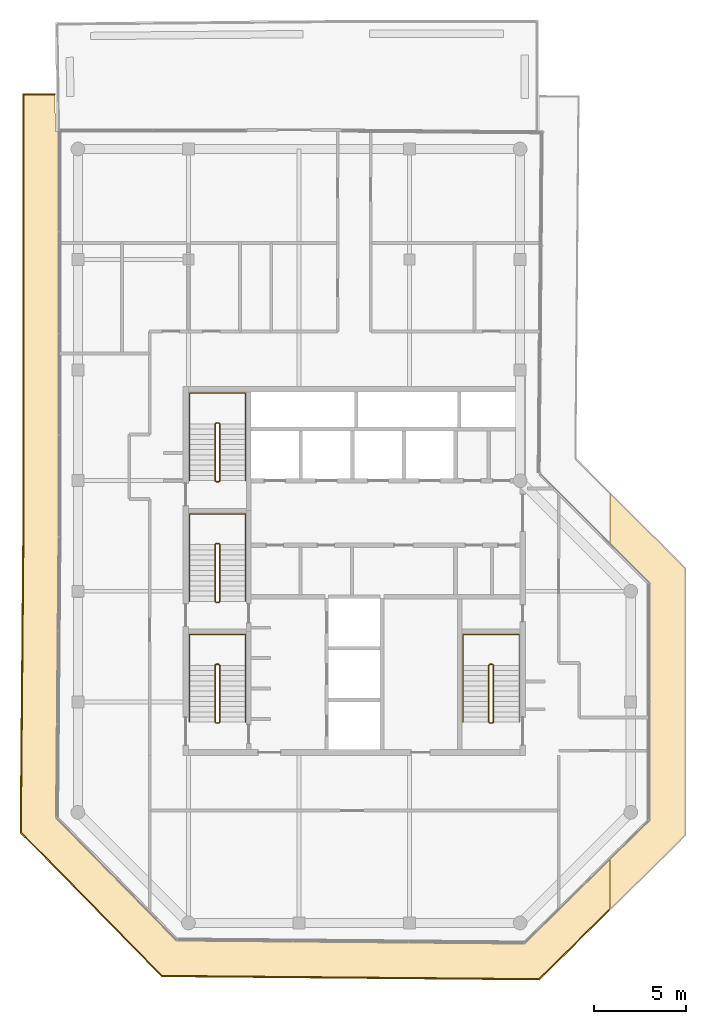
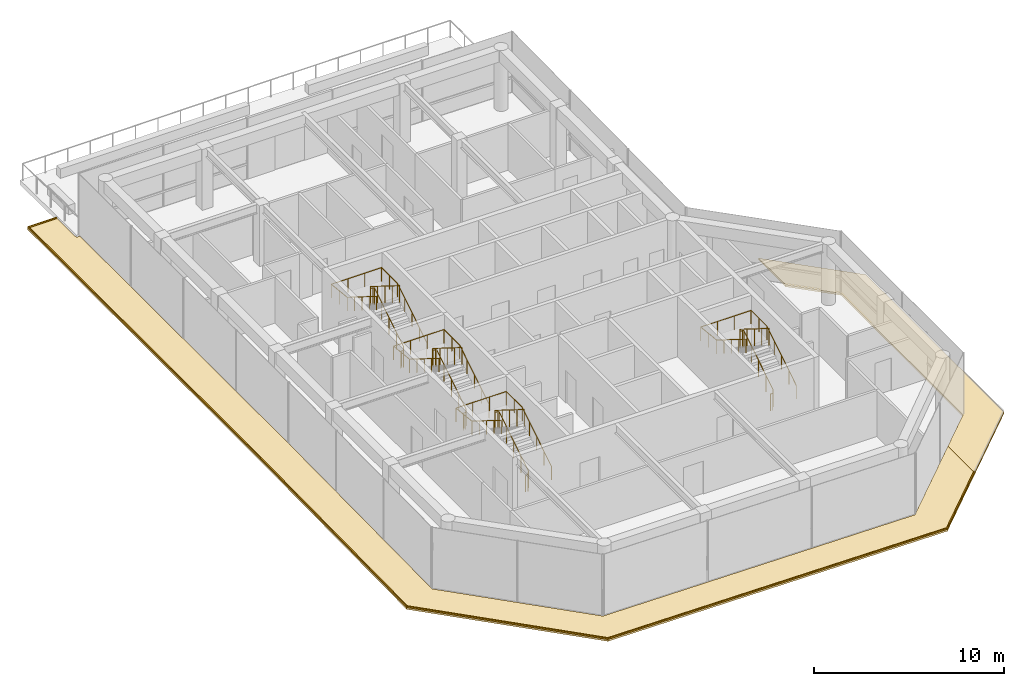
# One storey, part 16 of 17: 8 railings, 3 coverings.
"""IFC4 building model written with IfcOpenShell, lengths in metres."""

from ifc_helpers import new_model, si_unit, direction, frame, origin, origin_2d, place, context, subcontext, project, spatial, polyline, circle, outline, extrude, material, layer, layer_set, type_object, element, save


model = new_model("IFC4")

# Units and contexts
model_context = context("Model", 3, precision=1e-05, world=origin(), true_north=direction((0.0, 1.0)))
body_context = subcontext(model_context, "Body", "Model", "MODEL_VIEW")
ifc_project = project(units=[si_unit("LENGTHUNIT", "METRE"), si_unit("AREAUNIT", "SQUARE_METRE"), si_unit("VOLUMEUNIT", "CUBIC_METRE"), si_unit("PLANEANGLEUNIT", "RADIAN"), si_unit("MASSUNIT", "GRAM", prefix="KILO")], contexts=[model_context])

# Site, building, storey
site_placement = place(None, origin())
site = spatial("IfcSite", under=ifc_project, at=site_placement, CompositionType="ELEMENT")
building_placement = place(site_placement, origin())
building = spatial("IfcBuilding", under=site, at=building_placement, Name="Welwitschia Terrace Campus", CompositionType="ELEMENT")
storey_placement = place(building_placement, frame((0.0, 0.0, 335.60009765625)))
storey = spatial("IfcBuildingStorey", under=building, at=storey_placement, Name="L75", CompositionType="ELEMENT", Elevation=335.60009765625)

# Railings
ifc_material_1 = material(Name="Steel S355", Category="steel")
railing_type_1 = type_object("IfcRailingType", Name="Stair guard 1100", PredefinedType="GUARDRAIL", material=ifc_material_1)
railing_1_placement = place(storey_placement, frame((7.5, 6.85009765625, 0.0)))
element("IfcRailing", 1, at=railing_1_placement, inside=storey, type_object=railing_type_1, Name="L75 S1 stair guard", PredefinedType="GUARDRAIL", context=body_context, shape_type="SweptSolid", body=[
    extrude(circle(Radius=0.02392578125, at=origin_2d()), frame((0.0, 0.0, 1.076171875), z_axis=(1.0, 0.0, 0.0), x_axis=(0.0, 1.0, 0.0)), (0.0, 0.0, 1.0), 0.14990234375),
    extrude(circle(Radius=0.02392578125, at=origin_2d()), frame((0.14990234375, 0.0, 1.076171875), z_axis=(0.265474339444, 0.264179342666, 0.927217692888), x_axis=(-0.705375805398, 0.708833529934, 0.0)), (0.0, 0.0, 1.0), 0.1884765625),
    extrude(circle(Radius=0.02392578125, at=origin_2d()), frame((0.199951171875, 0.0498046875, 1.2509765625), z_axis=(0.0, 0.847998304005, 0.529998940003), x_axis=(-1.0, 0.0, 0.0)), (0.0, 0.0, 1.0), 3.632080078125),
    extrude(circle(Radius=0.02392578125, at=origin_2d()), frame((0.199951171875, 3.1298828125, 3.17578125), z_axis=(-0.707106781187, 0.707106781187, 0.0), x_axis=(-0.707106781187, -0.707106781187, 0.0)), (0.0, 0.0, 1.0), 0.07080078125),
    extrude(circle(Radius=0.02392578125, at=origin_2d()), frame((0.14990234375, 3.179931640625, 3.17578125), z_axis=(-1.0, 0.0, 0.0), x_axis=(0.0, -1.0, 0.0)), (0.0, 0.0, 1.0), 0.14990234375),
    extrude(circle(Radius=0.02392578125, at=origin_2d()), frame((0.0, 3.179931640625, 3.17578125), z_axis=(-0.265065253269, -0.265065253269, 0.927081885822), x_axis=(0.707106781187, -0.707106781187, 0.0)), (0.0, 0.0, 1.0), 0.188720703125),
    extrude(circle(Radius=0.02392578125, at=origin_2d()), frame((-0.050048828125, 3.1298828125, 3.35107421875), z_axis=(0.0, -0.847998304005, 0.529998940003), x_axis=(1.0, 0.0, 0.0)), (0.0, 0.0, 1.0), 3.632080078125),
    extrude(circle(Radius=0.02099609375, at=origin_2d()), origin(), (0.0, 0.0, 1.0), 1.052001953125),
    extrude(circle(Radius=0.02099609375, at=origin_2d()), frame((0.14990234375, 0.0, 0.0)), (0.0, 0.0, 1.0), 1.052001953125),
    extrude(circle(Radius=0.02099609375, at=origin_2d()), frame((0.199951171875, 0.0498046875, 0.1748046875)), (0.0, 0.0, 1.0), 1.052001953125),
    extrude(circle(Radius=0.02099609375, at=origin_2d()), frame((0.199951171875, 0.81982421875, 0.656005859375)), (0.0, 0.0, 1.0), 1.052001953125),
    extrude(circle(Radius=0.02099609375, at=origin_2d()), frame((0.199951171875, 1.58984375, 1.13720703125)), (0.0, 0.0, 1.0), 1.052001953125),
    extrude(circle(Radius=0.02099609375, at=origin_2d()), frame((0.199951171875, 2.35986328125, 1.61865234375)), (0.0, 0.0, 1.0), 1.052001953125),
    extrude(circle(Radius=0.02099609375, at=origin_2d()), frame((0.199951171875, 3.1298828125, 2.099853515625)), (0.0, 0.0, 1.0), 1.052001953125),
    extrude(circle(Radius=0.02099609375, at=origin_2d()), frame((0.14990234375, 3.179931640625, 2.099853515625)), (0.0, 0.0, 1.0), 1.052001953125),
    extrude(circle(Radius=0.02099609375, at=origin_2d()), frame((0.0, 3.179931640625, 2.099853515625)), (0.0, 0.0, 1.0), 1.052001953125),
    extrude(circle(Radius=0.02099609375, at=origin_2d()), frame((-0.050048828125, 3.1298828125, 2.27490234375)), (0.0, 0.0, 1.0), 1.052001953125),
    extrude(circle(Radius=0.02099609375, at=origin_2d()), frame((-0.050048828125, 2.35986328125, 2.756103515625)), (0.0, 0.0, 1.0), 1.052001953125),
    extrude(circle(Radius=0.02099609375, at=origin_2d()), frame((-0.050048828125, 1.58984375, 3.2373046875)), (0.0, 0.0, 1.0), 1.052001953125),
    extrude(circle(Radius=0.02099609375, at=origin_2d()), frame((-0.050048828125, 0.81982421875, 3.71875)), (0.0, 0.0, 1.0), 1.052001953125),
    extrude(circle(Radius=0.02099609375, at=origin_2d()), frame((-0.050048828125, 0.0498046875, 4.199951171875)), (0.0, 0.0, 1.0), 1.052001953125),
])
railing_2_placement = place(storey_placement, frame((7.5, 13.39990234375, 0.0)))
element("IfcRailing", 2, at=railing_2_placement, inside=storey, type_object=railing_type_1, Name="L75 S3 stair guard", PredefinedType="GUARDRAIL", context=body_context, shape_type="SweptSolid", body=[
    extrude(circle(Radius=0.02392578125, at=origin_2d()), frame((0.0, 0.0, 1.076171875), z_axis=(1.0, 0.0, 0.0), x_axis=(0.0, 1.0, 0.0)), (0.0, 0.0, 1.0), 0.14990234375),
    extrude(circle(Radius=0.02392578125, at=origin_2d()), frame((0.14990234375, 0.0, 1.076171875), z_axis=(0.265383341853, 0.265383341853, 0.926899867156), x_axis=(-0.707106781187, 0.707106781187, 0.0)), (0.0, 0.0, 1.0), 0.1884765625),
    extrude(circle(Radius=0.02392578125, at=origin_2d()), frame((0.199951171875, 0.050048828125, 1.2509765625), z_axis=(0.0, 0.847998304005, 0.529998940003), x_axis=(-1.0, 0.0, 0.0)), (0.0, 0.0, 1.0), 3.632080078125),
    extrude(circle(Radius=0.02392578125, at=origin_2d()), frame((0.199951171875, 3.130126953125, 3.17578125), z_axis=(-0.707106781187, 0.707106781187, 0.0), x_axis=(-0.707106781187, -0.707106781187, 0.0)), (0.0, 0.0, 1.0), 0.07080078125),
    extrude(circle(Radius=0.02392578125, at=origin_2d()), frame((0.14990234375, 3.18017578125, 3.17578125), z_axis=(-1.0, 0.0, 0.0), x_axis=(0.0, -1.0, 0.0)), (0.0, 0.0, 1.0), 0.14990234375),
    extrude(circle(Radius=0.02392578125, at=origin_2d()), frame((0.0, 3.18017578125, 3.17578125), z_axis=(-0.265065253269, -0.265065253269, 0.927081885822), x_axis=(0.707106781187, -0.707106781187, 0.0)), (0.0, 0.0, 1.0), 0.188720703125),
    extrude(circle(Radius=0.02392578125, at=origin_2d()), frame((-0.050048828125, 3.130126953125, 3.35107421875), z_axis=(0.0, -0.847998304005, 0.529998940003), x_axis=(1.0, 0.0, 0.0)), (0.0, 0.0, 1.0), 3.632080078125),
    extrude(circle(Radius=0.02099609375, at=origin_2d()), origin(), (0.0, 0.0, 1.0), 1.052001953125),
    extrude(circle(Radius=0.02099609375, at=origin_2d()), frame((0.14990234375, 0.0, 0.0)), (0.0, 0.0, 1.0), 1.052001953125),
    extrude(circle(Radius=0.02099609375, at=origin_2d()), frame((0.199951171875, 0.050048828125, 0.1748046875)), (0.0, 0.0, 1.0), 1.052001953125),
    extrude(circle(Radius=0.02099609375, at=origin_2d()), frame((0.199951171875, 0.820068359375, 0.656005859375)), (0.0, 0.0, 1.0), 1.052001953125),
    extrude(circle(Radius=0.02099609375, at=origin_2d()), frame((0.199951171875, 1.590087890625, 1.13720703125)), (0.0, 0.0, 1.0), 1.052001953125),
    extrude(circle(Radius=0.02099609375, at=origin_2d()), frame((0.199951171875, 2.360107421875, 1.61865234375)), (0.0, 0.0, 1.0), 1.052001953125),
    extrude(circle(Radius=0.02099609375, at=origin_2d()), frame((0.199951171875, 3.130126953125, 2.099853515625)), (0.0, 0.0, 1.0), 1.052001953125),
    extrude(circle(Radius=0.02099609375, at=origin_2d()), frame((0.14990234375, 3.18017578125, 2.099853515625)), (0.0, 0.0, 1.0), 1.052001953125),
    extrude(circle(Radius=0.02099609375, at=origin_2d()), frame((0.0, 3.18017578125, 2.099853515625)), (0.0, 0.0, 1.0), 1.052001953125),
    extrude(circle(Radius=0.02099609375, at=origin_2d()), frame((-0.050048828125, 3.130126953125, 2.27490234375)), (0.0, 0.0, 1.0), 1.052001953125),
    extrude(circle(Radius=0.02099609375, at=origin_2d()), frame((-0.050048828125, 2.360107421875, 2.756103515625)), (0.0, 0.0, 1.0), 1.052001953125),
    extrude(circle(Radius=0.02099609375, at=origin_2d()), frame((-0.050048828125, 1.590087890625, 3.2373046875)), (0.0, 0.0, 1.0), 1.052001953125),
    extrude(circle(Radius=0.02099609375, at=origin_2d()), frame((-0.050048828125, 0.820068359375, 3.71875)), (0.0, 0.0, 1.0), 1.052001953125),
    extrude(circle(Radius=0.02099609375, at=origin_2d()), frame((-0.050048828125, 0.050048828125, 4.199951171875)), (0.0, 0.0, 1.0), 1.052001953125),
])
railing_3_placement = place(storey_placement, frame((7.5, 19.949951171875, 0.0)))
element("IfcRailing", 3, at=railing_3_placement, inside=storey, type_object=railing_type_1, Name="L75 S4 stair guard", PredefinedType="GUARDRAIL", context=body_context, shape_type="SweptSolid", body=[
    extrude(circle(Radius=0.02392578125, at=origin_2d()), frame((0.0, 0.0, 1.076171875), z_axis=(1.0, 0.0, 0.0), x_axis=(0.0, 1.0, 0.0)), (0.0, 0.0, 1.0), 0.14990234375),
    extrude(circle(Radius=0.02392578125, at=origin_2d()), frame((0.14990234375, 0.0, 1.076171875), z_axis=(0.265383341853, 0.265383341853, 0.926899867156), x_axis=(-0.707106781187, 0.707106781187, 0.0)), (0.0, 0.0, 1.0), 0.1884765625),
    extrude(circle(Radius=0.02392578125, at=origin_2d()), frame((0.199951171875, 0.050048828125, 1.2509765625), z_axis=(0.0, 0.847998304005, 0.529998940003), x_axis=(-1.0, 0.0, 0.0)), (0.0, 0.0, 1.0), 3.632080078125),
    extrude(circle(Radius=0.02392578125, at=origin_2d()), frame((0.199951171875, 3.130126953125, 3.17578125), z_axis=(-0.708833529934, 0.705375805398, 0.0), x_axis=(-0.705375805398, -0.708833529934, 0.0)), (0.0, 0.0, 1.0), 0.070556640625),
    extrude(circle(Radius=0.02392578125, at=origin_2d()), frame((0.14990234375, 3.179931640625, 3.17578125), z_axis=(-1.0, 0.0, 0.0), x_axis=(0.0, -1.0, 0.0)), (0.0, 0.0, 1.0), 0.14990234375),
    extrude(circle(Radius=0.02392578125, at=origin_2d()), frame((0.0, 3.179931640625, 3.17578125), z_axis=(-0.265155923931, -0.263862480399, 0.927399011991), x_axis=(0.705375805398, -0.708833529934, 0.0)), (0.0, 0.0, 1.0), 0.188720703125),
    extrude(circle(Radius=0.02392578125, at=origin_2d()), frame((-0.050048828125, 3.130126953125, 3.35107421875), z_axis=(0.0, -0.847998304005, 0.529998940003), x_axis=(1.0, 0.0, 0.0)), (0.0, 0.0, 1.0), 3.632080078125),
    extrude(circle(Radius=0.02099609375, at=origin_2d()), origin(), (0.0, 0.0, 1.0), 1.052001953125),
    extrude(circle(Radius=0.02099609375, at=origin_2d()), frame((0.14990234375, 0.0, 0.0)), (0.0, 0.0, 1.0), 1.052001953125),
    extrude(circle(Radius=0.02099609375, at=origin_2d()), frame((0.199951171875, 0.050048828125, 0.1748046875)), (0.0, 0.0, 1.0), 1.052001953125),
    extrude(circle(Radius=0.02099609375, at=origin_2d()), frame((0.199951171875, 0.820068359375, 0.656005859375)), (0.0, 0.0, 1.0), 1.052001953125),
    extrude(circle(Radius=0.02099609375, at=origin_2d()), frame((0.199951171875, 1.590087890625, 1.13720703125)), (0.0, 0.0, 1.0), 1.052001953125),
    extrude(circle(Radius=0.02099609375, at=origin_2d()), frame((0.199951171875, 2.360107421875, 1.61865234375)), (0.0, 0.0, 1.0), 1.052001953125),
    extrude(circle(Radius=0.02099609375, at=origin_2d()), frame((0.199951171875, 3.130126953125, 2.099853515625)), (0.0, 0.0, 1.0), 1.052001953125),
    extrude(circle(Radius=0.02099609375, at=origin_2d()), frame((0.14990234375, 3.179931640625, 2.099853515625)), (0.0, 0.0, 1.0), 1.052001953125),
    extrude(circle(Radius=0.02099609375, at=origin_2d()), frame((0.0, 3.179931640625, 2.099853515625)), (0.0, 0.0, 1.0), 1.052001953125),
    extrude(circle(Radius=0.02099609375, at=origin_2d()), frame((-0.050048828125, 3.130126953125, 2.27490234375)), (0.0, 0.0, 1.0), 1.052001953125),
    extrude(circle(Radius=0.02099609375, at=origin_2d()), frame((-0.050048828125, 2.360107421875, 2.756103515625)), (0.0, 0.0, 1.0), 1.052001953125),
    extrude(circle(Radius=0.02099609375, at=origin_2d()), frame((-0.050048828125, 1.590087890625, 3.2373046875)), (0.0, 0.0, 1.0), 1.052001953125),
    extrude(circle(Radius=0.02099609375, at=origin_2d()), frame((-0.050048828125, 0.820068359375, 3.71875)), (0.0, 0.0, 1.0), 1.052001953125),
    extrude(circle(Radius=0.02099609375, at=origin_2d()), frame((-0.050048828125, 0.050048828125, 4.199951171875)), (0.0, 0.0, 1.0), 1.052001953125),
])
railing_4_placement = place(storey_placement, frame((22.35009765625, 6.85009765625, 0.0)))
element("IfcRailing", 4, at=railing_4_placement, inside=storey, type_object=railing_type_1, Name="L75 S2 stair guard", PredefinedType="GUARDRAIL", context=body_context, shape_type="SweptSolid", body=[
    extrude(circle(Radius=0.02392578125, at=origin_2d()), frame((0.0, 0.0, 1.076171875), z_axis=(1.0, 0.0, 0.0), x_axis=(0.0, 1.0, 0.0)), (0.0, 0.0, 1.0), 0.14990234375),
    extrude(circle(Radius=0.02392578125, at=origin_2d()), frame((0.14990234375, 0.0, 1.076171875), z_axis=(0.265474339444, 0.264179342666, 0.927217692888), x_axis=(-0.705375805398, 0.708833529934, 0.0)), (0.0, 0.0, 1.0), 0.1884765625),
    extrude(circle(Radius=0.02392578125, at=origin_2d()), frame((0.199951171875, 0.0498046875, 1.2509765625), z_axis=(0.0, 0.847998304005, 0.529998940003), x_axis=(-1.0, 0.0, 0.0)), (0.0, 0.0, 1.0), 3.632080078125),
    extrude(circle(Radius=0.02392578125, at=origin_2d()), frame((0.199951171875, 3.1298828125, 3.17578125), z_axis=(-0.707106781187, 0.707106781187, 0.0), x_axis=(-0.707106781187, -0.707106781187, 0.0)), (0.0, 0.0, 1.0), 0.07080078125),
    extrude(circle(Radius=0.02392578125, at=origin_2d()), frame((0.14990234375, 3.179931640625, 3.17578125), z_axis=(-1.0, 0.0, 0.0), x_axis=(0.0, -1.0, 0.0)), (0.0, 0.0, 1.0), 0.14990234375),
    extrude(circle(Radius=0.02392578125, at=origin_2d()), frame((0.0, 3.179931640625, 3.17578125), z_axis=(-0.265065253269, -0.265065253269, 0.927081885822), x_axis=(0.707106781187, -0.707106781187, 0.0)), (0.0, 0.0, 1.0), 0.188720703125),
    extrude(circle(Radius=0.02392578125, at=origin_2d()), frame((-0.050048828125, 3.1298828125, 3.35107421875), z_axis=(0.0, -0.847998304005, 0.529998940003), x_axis=(1.0, 0.0, 0.0)), (0.0, 0.0, 1.0), 3.632080078125),
    extrude(circle(Radius=0.02099609375, at=origin_2d()), origin(), (0.0, 0.0, 1.0), 1.052001953125),
    extrude(circle(Radius=0.02099609375, at=origin_2d()), frame((0.14990234375, 0.0, 0.0)), (0.0, 0.0, 1.0), 1.052001953125),
    extrude(circle(Radius=0.02099609375, at=origin_2d()), frame((0.199951171875, 0.0498046875, 0.1748046875)), (0.0, 0.0, 1.0), 1.052001953125),
    extrude(circle(Radius=0.02099609375, at=origin_2d()), frame((0.199951171875, 0.81982421875, 0.656005859375)), (0.0, 0.0, 1.0), 1.052001953125),
    extrude(circle(Radius=0.02099609375, at=origin_2d()), frame((0.199951171875, 1.58984375, 1.13720703125)), (0.0, 0.0, 1.0), 1.052001953125),
    extrude(circle(Radius=0.02099609375, at=origin_2d()), frame((0.199951171875, 2.35986328125, 1.61865234375)), (0.0, 0.0, 1.0), 1.052001953125),
    extrude(circle(Radius=0.02099609375, at=origin_2d()), frame((0.199951171875, 3.1298828125, 2.099853515625)), (0.0, 0.0, 1.0), 1.052001953125),
    extrude(circle(Radius=0.02099609375, at=origin_2d()), frame((0.14990234375, 3.179931640625, 2.099853515625)), (0.0, 0.0, 1.0), 1.052001953125),
    extrude(circle(Radius=0.02099609375, at=origin_2d()), frame((0.0, 3.179931640625, 2.099853515625)), (0.0, 0.0, 1.0), 1.052001953125),
    extrude(circle(Radius=0.02099609375, at=origin_2d()), frame((-0.050048828125, 3.1298828125, 2.27490234375)), (0.0, 0.0, 1.0), 1.052001953125),
    extrude(circle(Radius=0.02099609375, at=origin_2d()), frame((-0.050048828125, 2.35986328125, 2.756103515625)), (0.0, 0.0, 1.0), 1.052001953125),
    extrude(circle(Radius=0.02099609375, at=origin_2d()), frame((-0.050048828125, 1.58984375, 3.2373046875)), (0.0, 0.0, 1.0), 1.052001953125),
    extrude(circle(Radius=0.02099609375, at=origin_2d()), frame((-0.050048828125, 0.81982421875, 3.71875)), (0.0, 0.0, 1.0), 1.052001953125),
    extrude(circle(Radius=0.02099609375, at=origin_2d()), frame((-0.050048828125, 0.0498046875, 4.199951171875)), (0.0, 0.0, 1.0), 1.052001953125),
])
ifc_material_2 = material(Name="Steel S355", Category="steel")
railing_type_2 = type_object("IfcRailingType", Name="Stair handrail 900", PredefinedType="HANDRAIL", material=ifc_material_2)
railing_5_placement = place(storey_placement, frame((9.10009765625, 6.89990234375, 0.1748046875)))
element("IfcRailing", 5, at=railing_5_placement, inside=storey, type_object=railing_type_2, Name="L75 S1 stair handrail", PredefinedType="HANDRAIL", context=body_context, shape_type="SweptSolid", body=[
    extrude(circle(Radius=0.02392578125, at=origin_2d()), frame((0.0, 0.0, 0.8759765625), z_axis=(0.0, 0.847998304005, 0.529998940003), x_axis=(-1.0, 0.0, 0.0)), (0.0, 0.0, 1.0), 3.632080078125),
    extrude(circle(Radius=0.02392578125, at=origin_2d()), frame((0.0, 3.080078125, 2.80078125), z_axis=(0.0, 1.0, 0.0), x_axis=(-1.0, 0.0, 0.0)), (0.0, 0.0, 1.0), 1.669921875),
    extrude(circle(Radius=0.02392578125, at=origin_2d()), frame((0.0, 4.75, 2.80078125), z_axis=(-1.0, 0.0, 0.0), x_axis=(0.0, -1.0, 0.0)), (0.0, 0.0, 1.0), 3.050048828125),
    extrude(circle(Radius=0.02392578125, at=origin_2d()), frame((-3.050048828125, 4.75, 2.80078125), z_axis=(0.0, -0.99455077262, 0.104253348533), x_axis=(1.0, 0.0, 0.0)), (0.0, 0.0, 1.0), 1.678955078125),
    extrude(circle(Radius=0.02392578125, at=origin_2d()), frame((-3.050048828125, 3.080078125, 2.97607421875), z_axis=(0.0, -0.847998304005, 0.529998940003), x_axis=(1.0, 0.0, 0.0)), (0.0, 0.0, 1.0), 3.632080078125),
    extrude(circle(Radius=0.02099609375, at=origin_2d()), origin(), (0.0, 0.0, 1.0), 0.851806640625),
    extrude(circle(Radius=0.02099609375, at=origin_2d()), frame((0.0, 0.77001953125, 0.481201171875)), (0.0, 0.0, 1.0), 0.851806640625),
    extrude(circle(Radius=0.02099609375, at=origin_2d()), frame((0.0, 1.5400390625, 0.96240234375)), (0.0, 0.0, 1.0), 0.851806640625),
    extrude(circle(Radius=0.02099609375, at=origin_2d()), frame((0.0, 2.31005859375, 1.44384765625)), (0.0, 0.0, 1.0), 0.851806640625),
    extrude(circle(Radius=0.02099609375, at=origin_2d()), frame((0.0, 3.080078125, 1.925048828125)), (0.0, 0.0, 1.0), 0.851806640625),
    extrude(circle(Radius=0.02099609375, at=origin_2d()), frame((0.0, 3.9150390625, 1.925048828125)), (0.0, 0.0, 1.0), 0.851806640625),
    extrude(circle(Radius=0.02099609375, at=origin_2d()), frame((0.0, 4.75, 1.925048828125)), (0.0, 0.0, 1.0), 0.851806640625),
    extrude(circle(Radius=0.02099609375, at=origin_2d()), frame((-1.0166015625, 4.75, 1.925048828125)), (0.0, 0.0, 1.0), 0.851806640625),
    extrude(circle(Radius=0.02099609375, at=origin_2d()), frame((-2.033447265625, 4.75, 1.925048828125)), (0.0, 0.0, 1.0), 0.851806640625),
    extrude(circle(Radius=0.02099609375, at=origin_2d()), frame((-3.050048828125, 4.75, 1.925048828125)), (0.0, 0.0, 1.0), 0.851806640625),
    extrude(circle(Radius=0.02099609375, at=origin_2d()), frame((-3.050048828125, 3.9150390625, 2.0126953125)), (0.0, 0.0, 1.0), 0.851806640625),
    extrude(circle(Radius=0.02099609375, at=origin_2d()), frame((-3.050048828125, 3.080078125, 2.10009765625)), (0.0, 0.0, 1.0), 0.851806640625),
    extrude(circle(Radius=0.02099609375, at=origin_2d()), frame((-3.050048828125, 2.31005859375, 2.581298828125)), (0.0, 0.0, 1.0), 0.851806640625),
    extrude(circle(Radius=0.02099609375, at=origin_2d()), frame((-3.050048828125, 1.5400390625, 3.0625)), (0.0, 0.0, 1.0), 0.851806640625),
    extrude(circle(Radius=0.02099609375, at=origin_2d()), frame((-3.050048828125, 0.77001953125, 3.5439453125)), (0.0, 0.0, 1.0), 0.851806640625),
    extrude(circle(Radius=0.02099609375, at=origin_2d()), frame((-3.050048828125, 0.0, 4.025146484375)), (0.0, 0.0, 1.0), 0.851806640625),
])
railing_6_placement = place(storey_placement, frame((9.10009765625, 13.449951171875, 0.1748046875)))
element("IfcRailing", 6, at=railing_6_placement, inside=storey, type_object=railing_type_2, Name="L75 S3 stair handrail", PredefinedType="HANDRAIL", context=body_context, shape_type="SweptSolid", body=[
    extrude(circle(Radius=0.02392578125, at=origin_2d()), frame((0.0, 0.0, 0.8759765625), z_axis=(0.0, 0.847998304005, 0.529998940003), x_axis=(-1.0, 0.0, 0.0)), (0.0, 0.0, 1.0), 3.632080078125),
    extrude(circle(Radius=0.02392578125, at=origin_2d()), frame((0.0, 3.080078125, 2.80078125), z_axis=(0.0, 1.0, 0.0), x_axis=(-1.0, 0.0, 0.0)), (0.0, 0.0, 1.0), 1.669921875),
    extrude(circle(Radius=0.02392578125, at=origin_2d()), frame((0.0, 4.75, 2.80078125), z_axis=(-1.0, 0.0, 0.0), x_axis=(0.0, -1.0, 0.0)), (0.0, 0.0, 1.0), 3.050048828125),
    extrude(circle(Radius=0.02392578125, at=origin_2d()), frame((-3.050048828125, 4.75, 2.80078125), z_axis=(0.0, -0.99455077262, 0.104253348533), x_axis=(1.0, 0.0, 0.0)), (0.0, 0.0, 1.0), 1.678955078125),
    extrude(circle(Radius=0.02392578125, at=origin_2d()), frame((-3.050048828125, 3.080078125, 2.97607421875), z_axis=(0.0, -0.847998304005, 0.529998940003), x_axis=(1.0, 0.0, 0.0)), (0.0, 0.0, 1.0), 3.632080078125),
    extrude(circle(Radius=0.02099609375, at=origin_2d()), origin(), (0.0, 0.0, 1.0), 0.851806640625),
    extrude(circle(Radius=0.02099609375, at=origin_2d()), frame((0.0, 0.77001953125, 0.481201171875)), (0.0, 0.0, 1.0), 0.851806640625),
    extrude(circle(Radius=0.02099609375, at=origin_2d()), frame((0.0, 1.5400390625, 0.96240234375)), (0.0, 0.0, 1.0), 0.851806640625),
    extrude(circle(Radius=0.02099609375, at=origin_2d()), frame((0.0, 2.31005859375, 1.44384765625)), (0.0, 0.0, 1.0), 0.851806640625),
    extrude(circle(Radius=0.02099609375, at=origin_2d()), frame((0.0, 3.080078125, 1.925048828125)), (0.0, 0.0, 1.0), 0.851806640625),
    extrude(circle(Radius=0.02099609375, at=origin_2d()), frame((0.0, 3.9150390625, 1.925048828125)), (0.0, 0.0, 1.0), 0.851806640625),
    extrude(circle(Radius=0.02099609375, at=origin_2d()), frame((0.0, 4.75, 1.925048828125)), (0.0, 0.0, 1.0), 0.851806640625),
    extrude(circle(Radius=0.02099609375, at=origin_2d()), frame((-1.0166015625, 4.75, 1.925048828125)), (0.0, 0.0, 1.0), 0.851806640625),
    extrude(circle(Radius=0.02099609375, at=origin_2d()), frame((-2.033447265625, 4.75, 1.925048828125)), (0.0, 0.0, 1.0), 0.851806640625),
    extrude(circle(Radius=0.02099609375, at=origin_2d()), frame((-3.050048828125, 4.75, 1.925048828125)), (0.0, 0.0, 1.0), 0.851806640625),
    extrude(circle(Radius=0.02099609375, at=origin_2d()), frame((-3.050048828125, 3.9150390625, 2.0126953125)), (0.0, 0.0, 1.0), 0.851806640625),
    extrude(circle(Radius=0.02099609375, at=origin_2d()), frame((-3.050048828125, 3.080078125, 2.10009765625)), (0.0, 0.0, 1.0), 0.851806640625),
    extrude(circle(Radius=0.02099609375, at=origin_2d()), frame((-3.050048828125, 2.31005859375, 2.581298828125)), (0.0, 0.0, 1.0), 0.851806640625),
    extrude(circle(Radius=0.02099609375, at=origin_2d()), frame((-3.050048828125, 1.5400390625, 3.0625)), (0.0, 0.0, 1.0), 0.851806640625),
    extrude(circle(Radius=0.02099609375, at=origin_2d()), frame((-3.050048828125, 0.77001953125, 3.5439453125)), (0.0, 0.0, 1.0), 0.851806640625),
    extrude(circle(Radius=0.02099609375, at=origin_2d()), frame((-3.050048828125, 0.0, 4.025146484375)), (0.0, 0.0, 1.0), 0.851806640625),
])
railing_7_placement = place(storey_placement, frame((9.10009765625, 20.0, 0.1748046875)))
element("IfcRailing", 7, at=railing_7_placement, inside=storey, type_object=railing_type_2, Name="L75 S4 stair handrail", PredefinedType="HANDRAIL", context=body_context, shape_type="SweptSolid", body=[
    extrude(circle(Radius=0.02392578125, at=origin_2d()), frame((0.0, 0.0, 0.8759765625), z_axis=(0.0, 0.847998304005, 0.529998940003), x_axis=(-1.0, 0.0, 0.0)), (0.0, 0.0, 1.0), 3.632080078125),
    extrude(circle(Radius=0.02392578125, at=origin_2d()), frame((0.0, 3.080078125, 2.80078125), z_axis=(0.0, 1.0, 0.0), x_axis=(-1.0, 0.0, 0.0)), (0.0, 0.0, 1.0), 1.669921875),
    extrude(circle(Radius=0.02392578125, at=origin_2d()), frame((0.0, 4.75, 2.80078125), z_axis=(-1.0, 0.0, 0.0), x_axis=(0.0, -1.0, 0.0)), (0.0, 0.0, 1.0), 3.050048828125),
    extrude(circle(Radius=0.02392578125, at=origin_2d()), frame((-3.050048828125, 4.75, 2.80078125), z_axis=(0.0, -0.99455077262, 0.104253348533), x_axis=(1.0, 0.0, 0.0)), (0.0, 0.0, 1.0), 1.678955078125),
    extrude(circle(Radius=0.02392578125, at=origin_2d()), frame((-3.050048828125, 3.080078125, 2.97607421875), z_axis=(0.0, -0.847998304005, 0.529998940003), x_axis=(1.0, 0.0, 0.0)), (0.0, 0.0, 1.0), 3.632080078125),
    extrude(circle(Radius=0.02099609375, at=origin_2d()), origin(), (0.0, 0.0, 1.0), 0.851806640625),
    extrude(circle(Radius=0.02099609375, at=origin_2d()), frame((0.0, 0.77001953125, 0.481201171875)), (0.0, 0.0, 1.0), 0.851806640625),
    extrude(circle(Radius=0.02099609375, at=origin_2d()), frame((0.0, 1.5400390625, 0.96240234375)), (0.0, 0.0, 1.0), 0.851806640625),
    extrude(circle(Radius=0.02099609375, at=origin_2d()), frame((0.0, 2.31005859375, 1.44384765625)), (0.0, 0.0, 1.0), 0.851806640625),
    extrude(circle(Radius=0.02099609375, at=origin_2d()), frame((0.0, 3.080078125, 1.925048828125)), (0.0, 0.0, 1.0), 0.851806640625),
    extrude(circle(Radius=0.02099609375, at=origin_2d()), frame((0.0, 3.9150390625, 1.925048828125)), (0.0, 0.0, 1.0), 0.851806640625),
    extrude(circle(Radius=0.02099609375, at=origin_2d()), frame((0.0, 4.75, 1.925048828125)), (0.0, 0.0, 1.0), 0.851806640625),
    extrude(circle(Radius=0.02099609375, at=origin_2d()), frame((-1.0166015625, 4.75, 1.925048828125)), (0.0, 0.0, 1.0), 0.851806640625),
    extrude(circle(Radius=0.02099609375, at=origin_2d()), frame((-2.033447265625, 4.75, 1.925048828125)), (0.0, 0.0, 1.0), 0.851806640625),
    extrude(circle(Radius=0.02099609375, at=origin_2d()), frame((-3.050048828125, 4.75, 1.925048828125)), (0.0, 0.0, 1.0), 0.851806640625),
    extrude(circle(Radius=0.02099609375, at=origin_2d()), frame((-3.050048828125, 3.9150390625, 2.0126953125)), (0.0, 0.0, 1.0), 0.851806640625),
    extrude(circle(Radius=0.02099609375, at=origin_2d()), frame((-3.050048828125, 3.080078125, 2.10009765625)), (0.0, 0.0, 1.0), 0.851806640625),
    extrude(circle(Radius=0.02099609375, at=origin_2d()), frame((-3.050048828125, 2.31005859375, 2.581298828125)), (0.0, 0.0, 1.0), 0.851806640625),
    extrude(circle(Radius=0.02099609375, at=origin_2d()), frame((-3.050048828125, 1.5400390625, 3.0625)), (0.0, 0.0, 1.0), 0.851806640625),
    extrude(circle(Radius=0.02099609375, at=origin_2d()), frame((-3.050048828125, 0.77001953125, 3.5439453125)), (0.0, 0.0, 1.0), 0.851806640625),
    extrude(circle(Radius=0.02099609375, at=origin_2d()), frame((-3.050048828125, 0.0, 4.025146484375)), (0.0, 0.0, 1.0), 0.851806640625),
])
railing_8_placement = place(storey_placement, frame((23.949951171875, 6.89990234375, 0.1748046875)))
element("IfcRailing", 8, at=railing_8_placement, inside=storey, type_object=railing_type_2, Name="L75 S2 stair handrail", PredefinedType="HANDRAIL", context=body_context, shape_type="SweptSolid", body=[
    extrude(circle(Radius=0.02392578125, at=origin_2d()), frame((0.0, 0.0, 0.8759765625), z_axis=(0.0, 0.847998304005, 0.529998940003), x_axis=(-1.0, 0.0, 0.0)), (0.0, 0.0, 1.0), 3.632080078125),
    extrude(circle(Radius=0.02392578125, at=origin_2d()), frame((0.0, 3.080078125, 2.80078125), z_axis=(0.0, 1.0, 0.0), x_axis=(-1.0, 0.0, 0.0)), (0.0, 0.0, 1.0), 1.669921875),
    extrude(circle(Radius=0.02392578125, at=origin_2d()), frame((0.0, 4.75, 2.80078125), z_axis=(-1.0, 0.0, 0.0), x_axis=(0.0, -1.0, 0.0)), (0.0, 0.0, 1.0), 3.050048828125),
    extrude(circle(Radius=0.02392578125, at=origin_2d()), frame((-3.050048828125, 4.75, 2.80078125), z_axis=(0.0, -0.99455077262, 0.104253348533), x_axis=(1.0, 0.0, 0.0)), (0.0, 0.0, 1.0), 1.678955078125),
    extrude(circle(Radius=0.02392578125, at=origin_2d()), frame((-3.050048828125, 3.080078125, 2.97607421875), z_axis=(0.0, -0.847998304005, 0.529998940003), x_axis=(1.0, 0.0, 0.0)), (0.0, 0.0, 1.0), 3.632080078125),
    extrude(circle(Radius=0.02099609375, at=origin_2d()), origin(), (0.0, 0.0, 1.0), 0.851806640625),
    extrude(circle(Radius=0.02099609375, at=origin_2d()), frame((0.0, 0.77001953125, 0.481201171875)), (0.0, 0.0, 1.0), 0.851806640625),
    extrude(circle(Radius=0.02099609375, at=origin_2d()), frame((0.0, 1.5400390625, 0.96240234375)), (0.0, 0.0, 1.0), 0.851806640625),
    extrude(circle(Radius=0.02099609375, at=origin_2d()), frame((0.0, 2.31005859375, 1.44384765625)), (0.0, 0.0, 1.0), 0.851806640625),
    extrude(circle(Radius=0.02099609375, at=origin_2d()), frame((0.0, 3.080078125, 1.925048828125)), (0.0, 0.0, 1.0), 0.851806640625),
    extrude(circle(Radius=0.02099609375, at=origin_2d()), frame((0.0, 3.9150390625, 1.925048828125)), (0.0, 0.0, 1.0), 0.851806640625),
    extrude(circle(Radius=0.02099609375, at=origin_2d()), frame((0.0, 4.75, 1.925048828125)), (0.0, 0.0, 1.0), 0.851806640625),
    extrude(circle(Radius=0.02099609375, at=origin_2d()), frame((-1.0166015625, 4.75, 1.925048828125)), (0.0, 0.0, 1.0), 0.851806640625),
    extrude(circle(Radius=0.02099609375, at=origin_2d()), frame((-2.033447265625, 4.75, 1.925048828125)), (0.0, 0.0, 1.0), 0.851806640625),
    extrude(circle(Radius=0.02099609375, at=origin_2d()), frame((-3.050048828125, 4.75, 1.925048828125)), (0.0, 0.0, 1.0), 0.851806640625),
    extrude(circle(Radius=0.02099609375, at=origin_2d()), frame((-3.050048828125, 3.9150390625, 2.0126953125)), (0.0, 0.0, 1.0), 0.851806640625),
    extrude(circle(Radius=0.02099609375, at=origin_2d()), frame((-3.050048828125, 3.080078125, 2.10009765625)), (0.0, 0.0, 1.0), 0.851806640625),
    extrude(circle(Radius=0.02099609375, at=origin_2d()), frame((-3.050048828125, 2.31005859375, 2.581298828125)), (0.0, 0.0, 1.0), 0.851806640625),
    extrude(circle(Radius=0.02099609375, at=origin_2d()), frame((-3.050048828125, 1.5400390625, 3.0625)), (0.0, 0.0, 1.0), 0.851806640625),
    extrude(circle(Radius=0.02099609375, at=origin_2d()), frame((-3.050048828125, 0.77001953125, 3.5439453125)), (0.0, 0.0, 1.0), 0.851806640625),
    extrude(circle(Radius=0.02099609375, at=origin_2d()), frame((-3.050048828125, 0.0, 4.025146484375)), (0.0, 0.0, 1.0), 0.851806640625),
])

# Coverings
ifc_material_3 = material(Name="Bronze anodised aluminium", Category="aluminium")
ifc_layer_1 = layer(ifc_material_3, 0.1201171875)
ifc_layer_set_1 = layer_set([ifc_layer_1], Name="Bronze anodised aluminium")
covering_type_1 = type_object("IfcCoveringType", Name="Sunshade band 2000", PredefinedType="USERDEFINED", material=ifc_layer_set_1)
covering_1_placement = place(storey_placement, frame((0.0, 0.0, -0.2001953125)))
element("IfcCovering", 9, at=covering_1_placement, inside=storey, type_object=covering_type_1, Name="SUNSHADE L75.SW1", ObjectType="SUNSHADE", PredefinedType="USERDEFINED", context=body_context, shape_type="SweptSolid", body=[
    extrude(outline(polyline([(25.03515625, -7.095458984375), (4.54931640625, -6.916748046875), (-3.139892578125, 0.908203125), (-3.0, 16.951904296875), (-3.0, 41.0), (-1.236083984375, 41.0), (-1.21826171875, 38.949951171875), (-1.0, 38.949951171875), (-1.0, 16.943115234375), (-1.1328125, 1.718994140625), (5.395263671875, -4.924072265625), (24.222900390625, -5.08837890625), (28.8671875, -0.5146484375), (28.8671875, -3.32177734375), (25.03515625, -7.095458984375)])), origin(), (0.0, 0.0, 1.0), 0.1201171875),
])
covering_2_placement = place(storey_placement, frame((0.0, 0.0, -0.2001953125)))
element("IfcCovering", 10, at=covering_2_placement, inside=storey, type_object=covering_type_1, Name="SUNSHADE L75.SE0", ObjectType="SUNSHADE", PredefinedType="USERDEFINED", context=body_context, shape_type="SweptSolid", body=[
    extrude(outline(polyline([(33.0, 15.24267578125), (33.0, 0.748291015625), (28.8671875, -3.32177734375), (28.8671875, -0.5146484375), (31.0, 1.585693359375), (31.0, 14.414306640625), (28.8671875, 16.547119140625), (28.8671875, 19.37548828125), (33.0, 15.24267578125)])), origin(), (0.0, 0.0, 1.0), 0.1201171875),
])
ifc_material_4 = material(Name="Bronze anodised aluminium", Category="aluminium")
ifc_layer_2 = layer(ifc_material_4, 0.06005859375)
ifc_layer_set_2 = layer_set([ifc_layer_2], Name="Bronze anodised aluminium")
covering_type_2 = type_object("IfcCoveringType", Name="Sunshade lip 60", PredefinedType="USERDEFINED", material=ifc_layer_set_2)
covering_3_placement = place(storey_placement, frame((0.0, 0.0, -0.080078125)))
element("IfcCovering", 11, at=covering_3_placement, inside=storey, type_object=covering_type_2, Name="SUNSHADE LIP L75.SW1.0", ObjectType="SUNSHADE", PredefinedType="USERDEFINED", context=body_context, shape_type="SweptSolid", body=[
    extrude(outline(polyline([(4.54931640625, -6.916748046875), (-3.139892578125, 0.908203125), (-3.0, 16.951904296875), (-3.0, 41.0), (-1.236083984375, 41.0), (-1.235595703125, 40.93994140625), (-2.93994140625, 40.93994140625), (-2.93994140625, 16.951416015625), (-3.079833984375, 0.932373046875), (4.57470703125, -6.85693359375), (25.0107421875, -7.03515625), (28.8671875, -3.237548828125), (28.8671875, -3.32177734375), (25.03515625, -7.095458984375), (4.54931640625, -6.916748046875)])), origin(), (0.0, 0.0, 1.0), 0.080078125),
])

save(model, "model.ifc")
